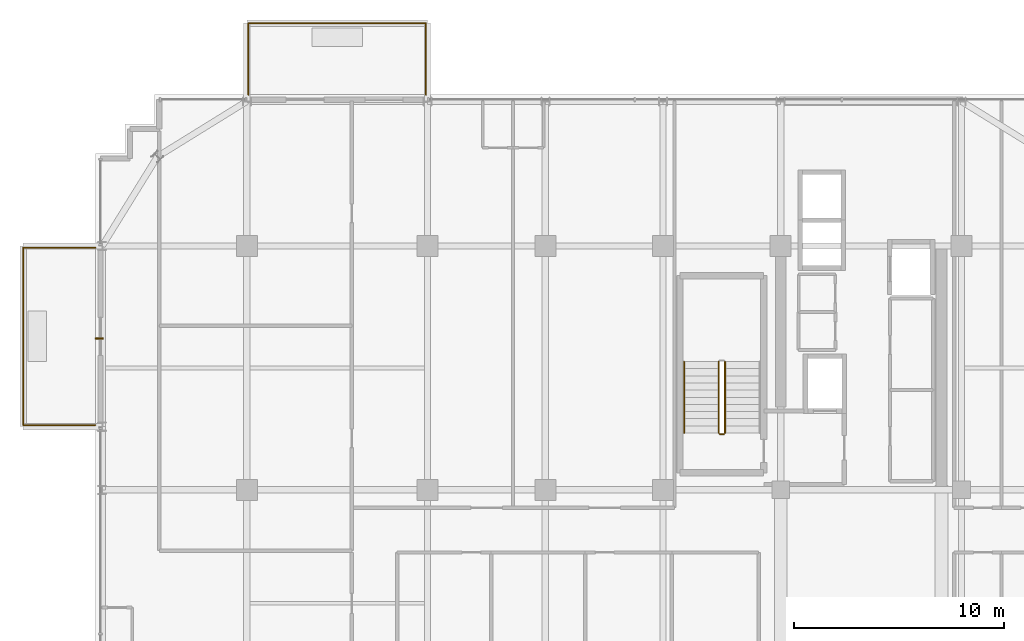
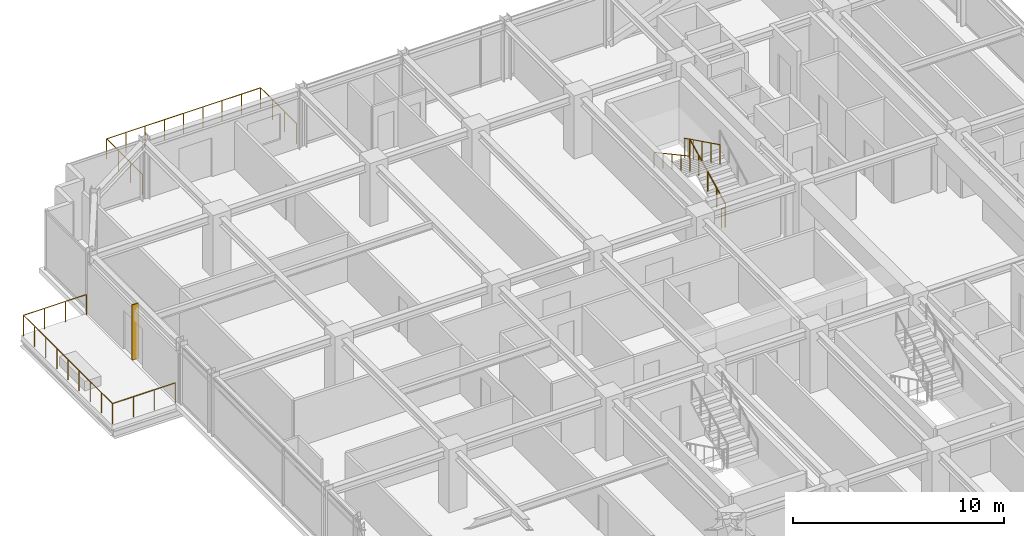
# One storey, part 34 of 36: 6 railings, 1 shading device.
"""IFC4 building model written with IfcOpenShell, lengths in metres."""

from ifc_helpers import new_model, si_unit, direction, frame, origin, origin_2d, place, context, subcontext, project, spatial, rectangle, circle, extrude, source, transform, mapped, material, layer, layer_set, type_object, element, save


model = new_model("IFC4")

# Units and contexts
model_context = context("Model", 3, precision=1e-05, world=origin(), true_north=direction((0.0, 1.0)))
body_context = subcontext(model_context, "Body", "Model", "MODEL_VIEW")
ifc_project = project(units=[si_unit("LENGTHUNIT", "METRE"), si_unit("AREAUNIT", "SQUARE_METRE"), si_unit("VOLUMEUNIT", "CUBIC_METRE"), si_unit("PLANEANGLEUNIT", "RADIAN"), si_unit("MASSUNIT", "GRAM", prefix="KILO")], contexts=[model_context])

# Site, building, storey
site_placement = place(None, origin())
site = spatial("IfcSite", under=ifc_project, at=site_placement, CompositionType="ELEMENT")
building_placement = place(site_placement, origin())
building = spatial("IfcBuilding", under=site, at=building_placement, Name="Nahalor Promenade Grand Hotel", CompositionType="ELEMENT")
storey_placement = place(building_placement, frame((0.0, 0.0, 241.89990234375)))
storey = spatial("IfcBuildingStorey", under=building, at=storey_placement, Name="L62", CompositionType="ELEMENT", Elevation=241.89990234375)

# Railings
ifc_material_1 = material(Name="Anodised Bronze Aluminium EN AW-6063 T6", Category="aluminium")
railing_type_1 = type_object("IfcRailingType", Name="Bronze Balcony Guardrail 1200 mm", PredefinedType="GUARDRAIL", material=ifc_material_1)
railing_1_placement = place(storey_placement, frame((-16.919921875, 24.199951171875, 0.0)))
element("IfcRailing", 1, at=railing_1_placement, inside=storey, type_object=railing_type_1, Name="L62 Balcony Guardrail 1", PredefinedType="GUARDRAIL", context=body_context, shape_type="SweptSolid", body=[
    extrude(circle(Radius=0.024048, at=origin_2d()), frame((0.0, 0.0, 1.17578125), z_axis=(0.0, 1.0, 0.0), x_axis=(-1.0, 0.0, 0.0)), (0.0, 0.0, 1.0), 3.398193359375),
    extrude(circle(Radius=0.024048, at=origin_2d()), frame((0.001953125, 3.400146484375, 1.17578125), z_axis=(1.0, 0.0, 0.0), x_axis=(0.0, 1.0, 0.0)), (0.0, 0.0, 1.0), 8.43603515625),
    extrude(circle(Radius=0.024048, at=origin_2d()), frame((8.43994140625, 3.398193359375, 1.17578125), z_axis=(0.0, -1.0, 0.0), x_axis=(1.0, 0.0, 0.0)), (0.0, 0.0, 1.0), 3.398193359375),
    extrude(circle(Radius=0.020996, at=origin_2d()), origin(), (0.0, 0.0, 1.0), 1.14990234375),
    extrude(circle(Radius=0.020996, at=origin_2d()), frame((0.0, 1.13330078125, 0.0)), (0.0, 0.0, 1.0), 1.14990234375),
    extrude(circle(Radius=0.020996, at=origin_2d()), frame((0.0, 2.266845703125, 0.0)), (0.0, 0.0, 1.0), 1.14990234375),
    extrude(circle(Radius=0.020996, at=origin_2d()), frame((0.0, 3.400146484375, 0.0)), (0.0, 0.0, 1.0), 1.14990234375),
    extrude(circle(Radius=0.020996, at=origin_2d()), frame((1.054931640625, 3.400146484375, 0.0)), (0.0, 0.0, 1.0), 1.14990234375),
    extrude(circle(Radius=0.020996, at=origin_2d()), frame((2.10986328125, 3.400146484375, 0.0)), (0.0, 0.0, 1.0), 1.14990234375),
    extrude(circle(Radius=0.020996, at=origin_2d()), frame((3.1650390625, 3.400146484375, 0.0)), (0.0, 0.0, 1.0), 1.14990234375),
    extrude(circle(Radius=0.020996, at=origin_2d()), frame((4.219970703125, 3.400146484375, 0.0)), (0.0, 0.0, 1.0), 1.14990234375),
    extrude(circle(Radius=0.020996, at=origin_2d()), frame((5.27490234375, 3.400146484375, 0.0)), (0.0, 0.0, 1.0), 1.14990234375),
    extrude(circle(Radius=0.020996, at=origin_2d()), frame((6.330078125, 3.400146484375, 0.0)), (0.0, 0.0, 1.0), 1.14990234375),
    extrude(circle(Radius=0.020996, at=origin_2d()), frame((7.385009765625, 3.400146484375, 0.0)), (0.0, 0.0, 1.0), 1.14990234375),
    extrude(circle(Radius=0.020996, at=origin_2d()), frame((8.43994140625, 3.400146484375, 0.0)), (0.0, 0.0, 1.0), 1.14990234375),
    extrude(circle(Radius=0.020996, at=origin_2d()), frame((8.43994140625, 2.266845703125, 0.0)), (0.0, 0.0, 1.0), 1.14990234375),
    extrude(circle(Radius=0.020996, at=origin_2d()), frame((8.43994140625, 1.13330078125, 0.0)), (0.0, 0.0, 1.0), 1.14990234375),
    extrude(circle(Radius=0.020996, at=origin_2d()), frame((8.43994140625, 0.0, 0.0)), (0.0, 0.0, 1.0), 1.14990234375),
])
railing_2_placement = place(storey_placement, frame((-24.199951171875, 8.47998046875, 0.0)))
element("IfcRailing", 2, at=railing_2_placement, inside=storey, type_object=railing_type_1, Name="L62 Balcony Guardrail 2", PredefinedType="GUARDRAIL", context=body_context, shape_type="SweptSolid", body=[
    extrude(circle(Radius=0.024048, at=origin_2d()), frame((0.0, 0.0, 1.17578125), z_axis=(-1.0, 0.0, 0.0), x_axis=(0.0, -1.0, 0.0)), (0.0, 0.0, 1.0), 3.43798828125),
    extrude(circle(Radius=0.024048, at=origin_2d()), frame((-3.43994140625, 0.001953125, 1.17578125), z_axis=(0.0, 1.0, 0.0), x_axis=(-1.0, 0.0, 0.0)), (0.0, 0.0, 1.0), 8.43603515625),
    extrude(circle(Radius=0.024048, at=origin_2d()), frame((-3.43798828125, 8.43994140625, 1.17578125), z_axis=(1.0, 0.0, 0.0), x_axis=(0.0, 1.0, 0.0)), (0.0, 0.0, 1.0), 3.43798828125),
    extrude(circle(Radius=0.020996, at=origin_2d()), origin(), (0.0, 0.0, 1.0), 1.14990234375),
    extrude(circle(Radius=0.020996, at=origin_2d()), frame((-1.146728515625, 0.0, 0.0)), (0.0, 0.0, 1.0), 1.14990234375),
    extrude(circle(Radius=0.020996, at=origin_2d()), frame((-2.293212890625, 0.0, 0.0)), (0.0, 0.0, 1.0), 1.14990234375),
    extrude(circle(Radius=0.020996, at=origin_2d()), frame((-3.43994140625, 0.0, 0.0)), (0.0, 0.0, 1.0), 1.14990234375),
    extrude(circle(Radius=0.020996, at=origin_2d()), frame((-3.43994140625, 1.054931640625, 0.0)), (0.0, 0.0, 1.0), 1.14990234375),
    extrude(circle(Radius=0.020996, at=origin_2d()), frame((-3.43994140625, 2.10986328125, 0.0)), (0.0, 0.0, 1.0), 1.14990234375),
    extrude(circle(Radius=0.020996, at=origin_2d()), frame((-3.43994140625, 3.1650390625, 0.0)), (0.0, 0.0, 1.0), 1.14990234375),
    extrude(circle(Radius=0.020996, at=origin_2d()), frame((-3.43994140625, 4.219970703125, 0.0)), (0.0, 0.0, 1.0), 1.14990234375),
    extrude(circle(Radius=0.020996, at=origin_2d()), frame((-3.43994140625, 5.27490234375, 0.0)), (0.0, 0.0, 1.0), 1.14990234375),
    extrude(circle(Radius=0.020996, at=origin_2d()), frame((-3.43994140625, 6.330078125, 0.0)), (0.0, 0.0, 1.0), 1.14990234375),
    extrude(circle(Radius=0.020996, at=origin_2d()), frame((-3.43994140625, 7.385009765625, 0.0)), (0.0, 0.0, 1.0), 1.14990234375),
    extrude(circle(Radius=0.020996, at=origin_2d()), frame((-3.43994140625, 8.43994140625, 0.0)), (0.0, 0.0, 1.0), 1.14990234375),
    extrude(circle(Radius=0.020996, at=origin_2d()), frame((-2.293212890625, 8.43994140625, 0.0)), (0.0, 0.0, 1.0), 1.14990234375),
    extrude(circle(Radius=0.020996, at=origin_2d()), frame((-1.146728515625, 8.43994140625, 0.0)), (0.0, 0.0, 1.0), 1.14990234375),
    extrude(circle(Radius=0.020996, at=origin_2d()), frame((0.0, 8.43994140625, 0.0)), (0.0, 0.0, 1.0), 1.14990234375),
])
ifc_material_2 = material(Name="Steel S355JR", Category="steel")
railing_type_2 = type_object("IfcRailingType", Name="Steel Stair Guardrail 1150 mm", PredefinedType="GUARDRAIL", material=ifc_material_2)
railing_3_placement = place(storey_placement, frame((5.75, 8.10009765625, 0.168212890625)))
element("IfcRailing", 3, at=railing_3_placement, inside=storey, type_object=railing_type_2, Name="L62 ST1 stair guard 1", PredefinedType="GUARDRAIL", context=body_context, shape_type="SweptSolid", body=[
    extrude(circle(Radius=0.024048, at=origin_2d()), frame((0.0, 0.0, 1.1259765625), z_axis=(0.0, 0.896324230515, 0.443399226197), x_axis=(-1.0, 0.0, 0.0)), (0.0, 0.0, 1.0), 3.793212890625),
    extrude(circle(Radius=0.020996, at=origin_2d()), origin(), (0.0, 0.0, 1.0), 1.099853515625),
    extrude(circle(Radius=0.020996, at=origin_2d()), frame((0.0, 0.85009765625, 0.42041015625)), (0.0, 0.0, 1.0), 1.099853515625),
    extrude(circle(Radius=0.020996, at=origin_2d()), frame((0.0, 1.699951171875, 0.8408203125)), (0.0, 0.0, 1.0), 1.099853515625),
    extrude(circle(Radius=0.020996, at=origin_2d()), frame((0.0, 2.5498046875, 1.261474609375)), (0.0, 0.0, 1.0), 1.099853515625),
    extrude(circle(Radius=0.020996, at=origin_2d()), frame((0.0, 3.39990234375, 1.681884765625)), (0.0, 0.0, 1.0), 1.099853515625),
])
railing_4_placement = place(storey_placement, frame((5.449951171875, 11.5, 2.018310546875)))
element("IfcRailing", 4, at=railing_4_placement, inside=storey, type_object=railing_type_2, Name="L62 ST1 stair guard 3", PredefinedType="GUARDRAIL", context=body_context, shape_type="SweptSolid", body=[
    extrude(circle(Radius=0.024048, at=origin_2d()), frame((0.0, 0.0, 1.1259765625), z_axis=(0.0, -0.896324230515, 0.443399226197), x_axis=(1.0, 0.0, 0.0)), (0.0, 0.0, 1.0), 3.793212890625),
    extrude(circle(Radius=0.020996, at=origin_2d()), origin(), (0.0, 0.0, 1.0), 1.099853515625),
    extrude(circle(Radius=0.020996, at=origin_2d()), frame((0.0, -0.85009765625, 0.42041015625)), (0.0, 0.0, 1.0), 1.099853515625),
    extrude(circle(Radius=0.020996, at=origin_2d()), frame((0.0, -1.699951171875, 0.8408203125)), (0.0, 0.0, 1.0), 1.099853515625),
    extrude(circle(Radius=0.020996, at=origin_2d()), frame((0.0, -2.5498046875, 1.261474609375)), (0.0, 0.0, 1.0), 1.099853515625),
    extrude(circle(Radius=0.020996, at=origin_2d()), frame((0.0, -3.39990234375, 1.681884765625)), (0.0, 0.0, 1.0), 1.099853515625),
])
railing_5_placement = place(storey_placement, frame((5.699951171875, 8.050048828125, 0.0)))
element("IfcRailing", 5, at=railing_5_placement, inside=storey, type_object=railing_type_2, Name="L62 ST1 stair guard 4", PredefinedType="GUARDRAIL", context=body_context, shape_type="SweptSolid", body=[
    extrude(circle(Radius=0.024048, at=origin_2d()), frame((0.0, 0.0, 1.1259765625), z_axis=(-1.0, 0.0, 0.0), x_axis=(0.0, -1.0, 0.0)), (0.0, 0.0, 1.0), 0.199951171875),
    extrude(circle(Radius=0.020996, at=origin_2d()), origin(), (0.0, 0.0, 1.0), 1.099853515625),
    extrude(circle(Radius=0.020996, at=origin_2d()), frame((-0.199951171875, 0.0, 0.0)), (0.0, 0.0, 1.0), 1.099853515625),
])
railing_type_3 = type_object("IfcRailingType", Name="Steel Stair Handrail 900 mm", PredefinedType="HANDRAIL", material=ifc_material_2)
railing_6_placement = place(storey_placement, frame((3.800048828125, 11.5, 2.018310546875)))
element("IfcRailing", 6, at=railing_6_placement, inside=storey, type_object=railing_type_3, Name="L62 ST1 stair handrail 2", PredefinedType="HANDRAIL", context=body_context, shape_type="SweptSolid", body=[
    extrude(circle(Radius=0.024048, at=origin_2d()), frame((0.0, 0.0, 0.8759765625), z_axis=(0.0, -0.878398892953, 0.47792822145), x_axis=(1.0, 0.0, 0.0)), (0.0, 0.0, 1.0), 3.87060546875),
    extrude(circle(Radius=0.020996, at=origin_2d()), origin(), (0.0, 0.0, 1.0), 0.849853515625),
    extrude(circle(Radius=0.020996, at=origin_2d()), frame((0.0, -0.85009765625, 0.46240234375)), (0.0, 0.0, 1.0), 0.849853515625),
    extrude(circle(Radius=0.020996, at=origin_2d()), frame((0.0, -1.699951171875, 0.9248046875)), (0.0, 0.0, 1.0), 0.849853515625),
    extrude(circle(Radius=0.020996, at=origin_2d()), frame((0.0, -2.5498046875, 1.387451171875)), (0.0, 0.0, 1.0), 0.849853515625),
    extrude(circle(Radius=0.020996, at=origin_2d()), frame((0.0, -3.39990234375, 1.849853515625)), (0.0, 0.0, 1.0), 0.849853515625),
])

# Shading device
ifc_layer = layer(ifc_material_1, 0.06005859375)
ifc_layer_set = layer_set([ifc_layer], Name="Anodised Bronze Aluminium EN AW-6063 T6")
shading_device_type = type_object("IfcShadingDeviceType", Name="Shade-SolarFin-Bronze", PredefinedType="JALOUSIE", material=ifc_layer_set)
shared_shape = source(origin(), body_context, "Body", "SweptSolid", [
    extrude(rectangle(XDim=0.3798828125, YDim=0.06005859375, at=origin_2d()), origin(), (0.0, 0.0, 1.0), 3.199951171875),
])
shading_device_placement = place(storey_placement, frame((-24.010009765625, 12.60009765625, 0.0), z_axis=(0.0, 0.0, 1.0), x_axis=(1.0, 0.0, 0.0)))
element("IfcShadingDevice", 7, at=shading_device_placement, inside=storey, type_object=shading_device_type, Name="JAL-L62-W2", PredefinedType="JALOUSIE", context=body_context, shape_type="MappedRepresentation", body=[
    mapped(shared_shape, transform((0.0, 0.0, 0.0), scale=1.0)),
])

save(model, "model.ifc")
